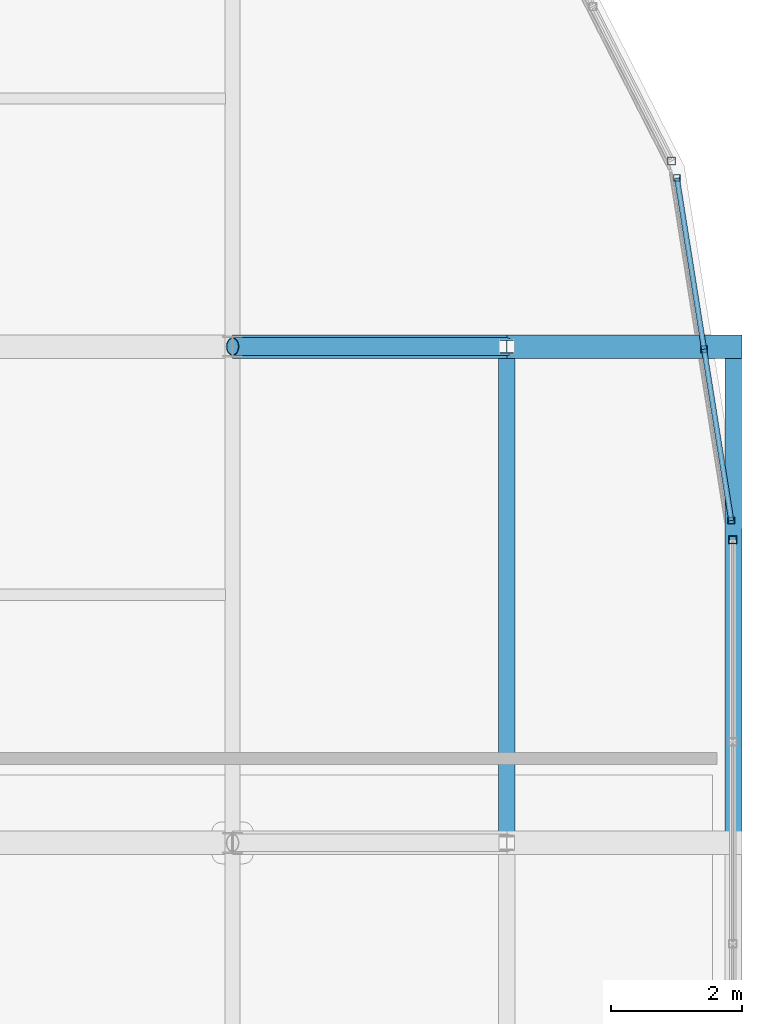
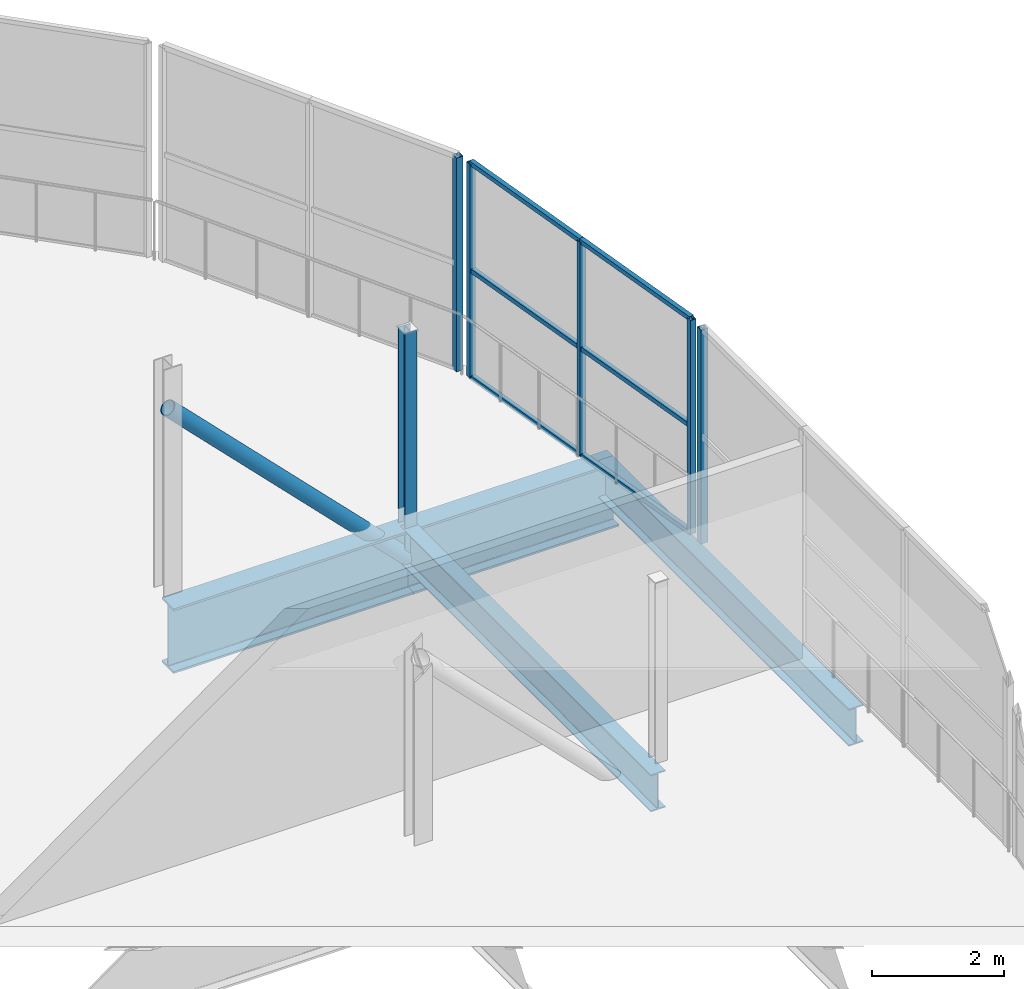
# One storey, part 110 of 151: 13 members, 4 beams, 3 elements without a shape of their own.
"""IFC4 building model written with IfcOpenShell, lengths in metres."""

import ifcopenshell
import ifcopenshell.guid

model = None  # the IFC model being written
_history = None  # IfcOwnerHistory: only IFC2X3 demands one
_inside = {}  # id of a spatial element -> (the spatial element, [elements in it])
_under = {}  # id of a project, library or spatial element -> (it, [spatial elements below it])
_declared = {}  # id of a project -> (the project, [libraries it declares])
_typed = {}  # id of a type object -> (the type object, [elements of that type])
_made_of = {}  # id of a material, layer set ... -> (it, [elements and type objects made of it])


def new_model(schema):
    """Start an empty IFC model of exactly this schema.

    Asked for "IFC4X3", IfcOpenShell would pick the latest addendum, in which some entities
    have other attributes; the version numbers below select the first issue.
    IFC2X3 requires an IfcOwnerHistory on every rooted entity: one is made here for all.
    """
    global model, _history
    if schema == "IFC4X3":
        model = ifcopenshell.file(schema_version=(4, 3, 0, 0))
    else:
        model = ifcopenshell.file(schema=schema)
    _inside.clear()
    _under.clear()
    _declared.clear()
    _typed.clear()
    _made_of.clear()
    _history = None
    if model.schema == "IFC2X3":
        org = make("IfcOrganization", Name="unknown")
        user = make(
            "IfcPersonAndOrganization",
            ThePerson=make("IfcPerson", FamilyName="unknown"),
            TheOrganization=org,
        )
        app = make(
            "IfcApplication",
            ApplicationDeveloper=org,
            Version="unknown",
            ApplicationFullName="unknown",
            ApplicationIdentifier="unknown",
        )
        _history = make(
            "IfcOwnerHistory",
            OwningUser=user,
            OwningApplication=app,
            ChangeAction="ADDED",
            CreationDate=0,
        )
    return model


def make(cls, **values):
    """One entity of the class cls with the attributes given. An attribute that is None is left unset."""
    return model.create_entity(
        cls, **{name: value for name, value in values.items() if value is not None}
    )


def rooted(cls, **values):
    """An entity with a GlobalId (a new one), such as an element, a storey or a relation."""
    return make(cls, GlobalId=ifcopenshell.guid.new(), OwnerHistory=_history, **values)


def si_unit(unit_type, name, prefix=None):
    """IfcSIUnit, for example si_unit("LENGTHUNIT", "METRE", prefix="MILLI")."""
    return make("IfcSIUnit", UnitType=unit_type, Prefix=prefix, Name=name)


def assignment(units):
    """IfcUnitAssignment: the units of a project."""
    return None if units is None else make("IfcUnitAssignment", Units=units)


def point(xyz):
    """IfcCartesianPoint."""
    return None if xyz is None else make("IfcCartesianPoint", Coordinates=xyz)


def direction(xyz):
    """IfcDirection."""
    return None if xyz is None else make("IfcDirection", DirectionRatios=xyz)


def frame(location, z_axis=None, x_axis=None):
    """IfcAxis2Placement3D, a coordinate frame: its origin and axes. An axis left out is left unset."""
    return make(
        "IfcAxis2Placement3D",
        Location=point(location),
        Axis=direction(z_axis),
        RefDirection=direction(x_axis),
    )


def frame_2d(location, x_axis=None):
    """IfcAxis2Placement2D, a coordinate frame in the plane: its origin and x axis."""
    return make(
        "IfcAxis2Placement2D", Location=point(location), RefDirection=direction(x_axis)
    )


def origin():
    """The frame at (0, 0, 0) with its axes left unset."""
    return frame((0.0, 0.0, 0.0))


def origin_2d():
    """The frame at (0, 0) in the plane with its x axis left unset."""
    return frame_2d((0.0, 0.0))


def place(relative_to, where):
    """IfcLocalPlacement: puts the frame where relative to a parent placement (None: the world)."""
    return make(
        "IfcLocalPlacement", PlacementRelTo=relative_to, RelativePlacement=where
    )


def context(
    kind, dimensions, precision=None, world=None, true_north=None, identifier=None
):
    """IfcGeometricRepresentationContext, for example the 3D "Model" context."""
    return make(
        "IfcGeometricRepresentationContext",
        ContextIdentifier=identifier,
        ContextType=kind,
        CoordinateSpaceDimension=dimensions,
        Precision=precision,
        WorldCoordinateSystem=world,
        TrueNorth=true_north,
    )


def subcontext(parent, identifier, kind, view, scale=None):
    """IfcGeometricRepresentationSubContext, for example "Body" below "Model"."""
    return make(
        "IfcGeometricRepresentationSubContext",
        ContextIdentifier=identifier,
        ContextType=kind,
        ParentContext=parent,
        TargetScale=scale,
        TargetView=view,
    )


def project(units=None, contexts=None):
    """IfcProject with its units and contexts."""
    return rooted(
        "IfcProject",
        Name="project",
        RepresentationContexts=contexts,
        UnitsInContext=assignment(units),
    )


def spatial(cls, under=None, at=None, **own):
    """A site, building, storey or space (cls), placed at a placement, below another one or the project."""
    s = rooted(cls, ObjectPlacement=at, **own)
    if under is not None:
        _under.setdefault(under.id(), (under, []))[1].append(s)
    return s


def profile(cls, at=None, kind="AREA", **sizes):
    """A parametric profile (cls). Its sizes go by their IFC names, for example OverallWidth=200.0."""
    return make(cls, ProfileType=kind, Position=at, **sizes)


def hollow_rectangle(**sizes):
    """IfcRectangleHollowProfileDef."""
    return profile("IfcRectangleHollowProfileDef", **sizes)


def hollow_circle(**sizes):
    """IfcCircleHollowProfileDef."""
    return profile("IfcCircleHollowProfileDef", **sizes)


def i_section(**sizes):
    """IfcIShapeProfileDef."""
    return profile("IfcIShapeProfileDef", **sizes)


def extrude(swept, where, along, depth):
    """IfcExtrudedAreaSolid: the profile swept, set in the frame where, extruded along a direction by depth."""
    return make(
        "IfcExtrudedAreaSolid",
        SweptArea=swept,
        Position=where,
        ExtrudedDirection=direction(along),
        Depth=depth,
    )


def shape(context_of_items, identifier, shape_type, items):
    """IfcShapeRepresentation: the items that make up one representation, for example the "Body"."""
    return make(
        "IfcShapeRepresentation",
        ContextOfItems=context_of_items,
        RepresentationIdentifier=identifier,
        RepresentationType=shape_type,
        Items=items,
    )


def material(Name=None, Category=None):
    """IfcMaterial."""
    return make("IfcMaterial", Name=Name, Category=Category)


def material_profile(
    of_material, cross_section, Name=None, Category=None, Priority=None
):
    """IfcMaterialProfile: a cross section and its material."""
    return make(
        "IfcMaterialProfile",
        Name=Name,
        Material=of_material,
        Profile=cross_section,
        Priority=Priority,
        Category=Category,
    )


def profile_set(profiles, Name=None, composite=None):
    """IfcMaterialProfileSet."""
    return make(
        "IfcMaterialProfileSet",
        Name=Name,
        MaterialProfiles=profiles,
        CompositeProfile=composite,
    )


def made_of(thing, what):
    """Note that an element or type object is made of a material, layer set ...; save() writes the relation."""
    if what is not None:
        _made_of.setdefault(what.id(), (what, []))[1].append(thing)
    return thing


def type_object(cls, material=None, **own):
    """A type object (cls), such as IfcWallType, which elements share."""
    return made_of(rooted(cls, **own), material)


def element(
    cls,
    number,
    at=None,
    inside=None,
    cuts=None,
    type_object=None,
    material=None,
    context=None,
    identifier="Body",
    shape_type=None,
    held_by="IfcProductDefinitionShape",
    body=None,
    shapes=None,
    **own,
):
    """One element of the class cls, such as IfcWall. Its Tag is "e" and its number.

    at: its placement. inside: the storey or other place that contains it. cuts: it is an
    opening in that element (IfcRelVoidsElement). A single representation is given by context,
    identifier, shape_type and body (its items); several are given by shapes. held_by: the class
    of the entity that holds the representations. save() writes the other relations.
    """
    e = rooted(cls, Tag="e%d" % number, ObjectPlacement=at, **own)
    if body is not None:
        shapes = [shape(context, identifier, shape_type, body)]
    if shapes is not None:
        e.Representation = make(held_by, Representations=shapes)
    if inside is not None:
        _inside.setdefault(inside.id(), (inside, []))[1].append(e)
    if cuts is not None:
        rooted(
            "IfcRelVoidsElement", RelatingBuildingElement=cuts, RelatedOpeningElement=e
        )
    if type_object is not None:
        _typed.setdefault(type_object.id(), (type_object, []))[1].append(e)
    return made_of(e, material)


def aggregate(whole, parts):
    """IfcRelAggregates: a whole, such as a stair, and the parts it consists of."""
    return rooted("IfcRelAggregates", RelatingObject=whole, RelatedObjects=parts)


def save(model, path):
    """Write the relations noted so far, then the file.

    IfcRelAggregates (storeys below a building ...), IfcRelContainedInSpatialStructure (elements
    in a storey), IfcRelDefinesByType, IfcRelAssociatesMaterial and IfcRelDeclares: one each for
    every whole, place, type object, material and project.
    """
    for whole, parts in _under.values():
        aggregate(whole, parts)
    for where, things in _inside.values():
        rooted(
            "IfcRelContainedInSpatialStructure",
            RelatedElements=things,
            RelatingStructure=where,
        )
    for kind, things in _typed.values():
        rooted("IfcRelDefinesByType", RelatedObjects=things, RelatingType=kind)
    for what, things in _made_of.values():
        rooted("IfcRelAssociatesMaterial", RelatedObjects=things, RelatingMaterial=what)
    for by, libraries in _declared.values():
        rooted("IfcRelDeclares", RelatingContext=by, RelatedDefinitions=libraries)
    model.write(path)


model = new_model("IFC4")

# Units and contexts
model_context = context("Model", 3, precision=1e-05, world=origin(), true_north=direction((0.0, 1.0)))
body_context = subcontext(model_context, "Body", "Model", "MODEL_VIEW")
ifc_project = project(units=[si_unit("LENGTHUNIT", "METRE"), si_unit("AREAUNIT", "SQUARE_METRE"), si_unit("VOLUMEUNIT", "CUBIC_METRE"), si_unit("PLANEANGLEUNIT", "RADIAN"), si_unit("MASSUNIT", "GRAM", prefix="KILO")], contexts=[model_context])

# Site, building, storey
site_placement = place(None, origin())
site = spatial("IfcSite", under=ifc_project, at=site_placement, CompositionType="ELEMENT")
building_placement = place(site_placement, origin())
building = spatial("IfcBuilding", under=site, at=building_placement, Name="Zuvorla Pavilion Media Centre", CompositionType="ELEMENT")
storey_placement = place(building_placement, frame((0.0, 0.0, 13.800048828125)))
storey = spatial("IfcBuildingStorey", under=building, at=storey_placement, Name="L03", CompositionType="ELEMENT", Elevation=13.800048828125)

# Beams
ifc_material_1 = material(Name="Steel S355", Category="steel")
ifc_material_profile_1 = material_profile(ifc_material_1, i_section(OverallWidth=0.360107421875, OverallDepth=1.199951171875, WebThickness=0.02001953125, FlangeThickness=0.0380859375, FilletRadius=0.02392578125, at=origin_2d()), Name="PG 1200x360x38")
ifc_profile_set_1 = profile_set([ifc_material_profile_1], Name="Steel S355")
beam_type_1 = type_object("IfcBeamType", Name="BM-PG1200", PredefinedType="BEAM", material=ifc_profile_set_1)
beam_1_placement = place(storey_placement, frame((167.60009765625, 74.39990234375, -0.858154296875), z_axis=(1.0, 0.0, 0.0), x_axis=(0.0, 1.0, 0.0)))
element("IfcBeam", 1, at=beam_1_placement, inside=storey, type_object=beam_type_1, Name="L03 beam B01 1711", PredefinedType="BEAM", context=body_context, shape_type="SweptSolid", body=[
    extrude(i_section(OverallWidth=0.360107421875, OverallDepth=1.199951171875, WebThickness=0.02001953125, FlangeThickness=0.0380859375, FilletRadius=0.02392578125, at=origin_2d()), origin(), (0.0, 0.0, 1.0), 4.199951171875),
])
beam_2_placement = place(storey_placement, frame((171.800048828125, 74.39990234375, -0.858154296875), z_axis=(1.0, 0.0, 0.0), x_axis=(0.0, 1.0, 0.0)))
element("IfcBeam", 2, at=beam_2_placement, inside=storey, type_object=beam_type_1, Name="L03 beam B01 1712", PredefinedType="BEAM", context=body_context, shape_type="SweptSolid", body=[
    extrude(i_section(OverallWidth=0.360107421875, OverallDepth=1.199951171875, WebThickness=0.02001953125, FlangeThickness=0.0380859375, FilletRadius=0.02392578125, at=origin_2d()), origin(), (0.0, 0.0, 1.0), 3.599853515625),
])
ifc_material_profile_2 = material_profile(ifc_material_1, i_section(OverallWidth=0.25439453125, OverallDepth=0.6875, WebThickness=0.01318359375, FlangeThickness=0.02099609375, FilletRadius=0.01513671875, at=origin_2d()), Name="UB 686x254x152")
ifc_profile_set_2 = profile_set([ifc_material_profile_2], Name="Steel S355")
beam_type_2 = type_object("IfcBeamType", Name="BM-UB686", PredefinedType="BEAM", material=ifc_profile_set_2)
for number, where, z_axis, x_axis, name in (
    (3, (171.800048828125, 66.800048828125, -0.601806640625), (0.0, 1.0, 0.0), (-1.0, 0.0, 0.0), "L03 beam B06 1718"),
    (4, (175.27001953125, 66.800048828125, -0.601806640625), (0.0, 1.0, 0.0), (-1.0, 0.0, 0.0), "L03 beam B06 1720"),
):
    element("IfcBeam", number, at=place(storey_placement, frame(where, z_axis=z_axis, x_axis=x_axis)), inside=storey, type_object=beam_type_2, Name=name, PredefinedType="BEAM", context=body_context, shape_type="SweptSolid", body=[
        extrude(i_section(OverallWidth=0.25439453125, OverallDepth=0.6875, WebThickness=0.01318359375, FlangeThickness=0.02099609375, FilletRadius=0.01513671875, at=origin_2d()), origin(), (0.0, 0.0, 1.0), 7.599853515625),
    ])

# Curtain wall, members
ifc_material_2 = material(Name="Unitised anodised aluminium and solar glass curtain wall", Category="aluminium")
curtain_wall_type_1 = type_object("IfcCurtainWallType", Name="CW-SYS-02", PredefinedType="USERDEFINED", material=ifc_material_2)
curtain_wall_1_placement = place(storey_placement, origin())
curtain_wall_1 = element("IfcCurtainWall", 5, at=curtain_wall_1_placement, inside=storey, type_object=curtain_wall_type_1, Name="L03 curtain wall CW02 101", ObjectType="CURTAIN WALL", PredefinedType="USERDEFINED")
ifc_material_3 = material(Name="Anodised aluminium 6063-T6", Category="aluminium")
ifc_material_profile_3 = material_profile(ifc_material_3, hollow_rectangle(XDim=0.10009765625, YDim=0.10009765625, WallThickness=0.00439453125, at=origin_2d()), Name="ALU MULL 100x100")
ifc_profile_set_3 = profile_set([ifc_material_profile_3], Name="Anodised aluminium 6063-T6")
member_type_1 = type_object("IfcMemberType", Name="CW-MULL-100", PredefinedType="MULLION", material=ifc_profile_set_3)
member_1_placement = place(storey_placement, frame((175.23681640625, 71.736083984375, 0.0), z_axis=(0.0, 0.0, 1.0), x_axis=(1.0, 0.0, 0.0)))
member_1 = element("IfcMember", 6, at=member_1_placement, type_object=member_type_1, Name="CW02 mullion 1", PredefinedType="MULLION", context=body_context, shape_type="SweptSolid", body=[
    extrude(hollow_rectangle(XDim=0.10009765625, YDim=0.10009765625, WallThickness=0.00439453125, at=origin_2d()), origin(), (0.0, 0.0, 1.0), 3.9599609375),
])
member_2_placement = place(storey_placement, frame((174.8212890625, 74.359130859375, 0.0), z_axis=(0.0, 0.0, 1.0), x_axis=(1.0, 0.0, 0.0)))
member_2 = element("IfcMember", 7, at=member_2_placement, type_object=member_type_1, Name="CW02 mullion 2", PredefinedType="MULLION", context=body_context, shape_type="SweptSolid", body=[
    extrude(hollow_rectangle(XDim=0.10009765625, YDim=0.10009765625, WallThickness=0.00439453125, at=origin_2d()), origin(), (0.0, 0.0, 1.0), 3.9599609375),
])
member_3_placement = place(storey_placement, frame((174.40576171875, 76.982421875, 0.0), z_axis=(0.0, 0.0, 1.0), x_axis=(1.0, 0.0, 0.0)))
member_3 = element("IfcMember", 8, at=member_3_placement, type_object=member_type_1, Name="CW02 mullion 3", PredefinedType="MULLION", context=body_context, shape_type="SweptSolid", body=[
    extrude(hollow_rectangle(XDim=0.10009765625, YDim=0.10009765625, WallThickness=0.00439453125, at=origin_2d()), origin(), (0.0, 0.0, 1.0), 3.9599609375),
])

# Curtain wall, member
curtain_wall_type_2 = type_object("IfcCurtainWallType", Name="CW-SYS-59", PredefinedType="USERDEFINED", material=ifc_material_2)
curtain_wall_2_placement = place(storey_placement, origin())
curtain_wall_2 = element("IfcCurtainWall", 9, at=curtain_wall_2_placement, inside=storey, type_object=curtain_wall_type_2, Name="L03 curtain wall CW59 100", ObjectType="CURTAIN WALL", PredefinedType="USERDEFINED")
ifc_material_profile_4 = material_profile(ifc_material_3, hollow_rectangle(XDim=0.1201171875, YDim=0.1201171875, WallThickness=0.0048828125, at=origin_2d()), Name="ALU MULL 120x120")
ifc_profile_set_4 = profile_set([ifc_material_profile_4], Name="Anodised aluminium 6063-T6")
member_type_2 = type_object("IfcMemberType", Name="CW-MULL-120", PredefinedType="MULLION", material=ifc_profile_set_4)
member_4_placement = place(storey_placement, frame((175.260009765625, 71.43994140625, 0.0), z_axis=(0.0, 0.0, 1.0), x_axis=(1.0, 0.0, 0.0)))
member_4 = element("IfcMember", 10, at=member_4_placement, type_object=member_type_2, Name="CW59 mullion 4", PredefinedType="MULLION", context=body_context, shape_type="SweptSolid", body=[
    extrude(hollow_rectangle(XDim=0.1201171875, YDim=0.1201171875, WallThickness=0.0048828125, at=origin_2d()), origin(), (0.0, 0.0, 1.0), 3.9599609375),
])
aggregate(curtain_wall_2, [member_4])

curtain_wall_type_3 = type_object("IfcCurtainWallType", Name="CW-SYS-03", PredefinedType="USERDEFINED", material=ifc_material_2)
curtain_wall_3_placement = place(storey_placement, origin())
curtain_wall_3 = element("IfcCurtainWall", 11, at=curtain_wall_3_placement, inside=storey, type_object=curtain_wall_type_3, Name="L03 curtain wall CW03 102", ObjectType="CURTAIN WALL", PredefinedType="USERDEFINED")
member_5_placement = place(storey_placement, frame((174.321533203125, 77.2412109375, 0.0), z_axis=(0.0, 0.0, 1.0), x_axis=(1.0, 0.0, 0.0)))
member_5 = element("IfcMember", 12, at=member_5_placement, type_object=member_type_2, Name="CW03 mullion 1", PredefinedType="MULLION", context=body_context, shape_type="SweptSolid", body=[
    extrude(hollow_rectangle(XDim=0.1201171875, YDim=0.1201171875, WallThickness=0.0048828125, at=origin_2d()), origin(), (0.0, 0.0, 1.0), 3.9599609375),
])
aggregate(curtain_wall_3, [member_5])

# Member
ifc_material_profile_5 = material_profile(ifc_material_3, hollow_rectangle(XDim=0.080078125, YDim=0.080078125, WallThickness=0.00390625, at=origin_2d()), Name="ALU TRAN 80x80")
ifc_profile_set_5 = profile_set([ifc_material_profile_5], Name="Anodised aluminium 6063-T6")
member_type_3 = type_object("IfcMemberType", Name="CW-TRAN-80", PredefinedType="USERDEFINED", material=ifc_profile_set_5)
member_6_placement = place(storey_placement, frame((175.23681640625, 71.736083984375, 0.0), z_axis=(-0.156462944686, 0.987683829441, 0.0), x_axis=(-0.987683829441, -0.156462944686, 0.0)))
member_6 = element("IfcMember", 13, at=member_6_placement, type_object=member_type_3, Name="CW02 transom 1.1", ObjectType="TRANSOM", PredefinedType="USERDEFINED", context=body_context, shape_type="SweptSolid", body=[
    extrude(hollow_rectangle(XDim=0.080078125, YDim=0.080078125, WallThickness=0.00390625, at=origin_2d()), origin(), (0.0, 0.0, 1.0), 2.65576171875),
])

member_7_placement = place(storey_placement, frame((175.23681640625, 71.736083984375, 1.97998046875), z_axis=(-0.156462944686, 0.987683829441, 0.0), x_axis=(-0.987683829441, -0.156462944686, 0.0)))
member_7 = element("IfcMember", 14, at=member_7_placement, type_object=member_type_3, Name="CW02 transom 1.2", ObjectType="TRANSOM", PredefinedType="USERDEFINED", context=body_context, shape_type="SweptSolid", body=[
    extrude(hollow_rectangle(XDim=0.080078125, YDim=0.080078125, WallThickness=0.00390625, at=origin_2d()), origin(), (0.0, 0.0, 1.0), 2.65576171875),
])

member_8_placement = place(storey_placement, frame((175.23681640625, 71.736083984375, 3.9599609375), z_axis=(-0.156462944686, 0.987683829441, 0.0), x_axis=(-0.987683829441, -0.156462944686, 0.0)))
member_8 = element("IfcMember", 15, at=member_8_placement, type_object=member_type_3, Name="CW02 transom 1.3", ObjectType="TRANSOM", PredefinedType="USERDEFINED", context=body_context, shape_type="SweptSolid", body=[
    extrude(hollow_rectangle(XDim=0.080078125, YDim=0.080078125, WallThickness=0.00390625, at=origin_2d()), origin(), (0.0, 0.0, 1.0), 2.65576171875),
])

member_9_placement = place(storey_placement, frame((174.8212890625, 74.359130859375, 0.0), z_axis=(-0.156448739647, 0.987686079614, 0.0), x_axis=(-0.987686079614, -0.156448739647, 0.0)))
member_9 = element("IfcMember", 16, at=member_9_placement, type_object=member_type_3, Name="CW02 transom 2.1", ObjectType="TRANSOM", PredefinedType="USERDEFINED", context=body_context, shape_type="SweptSolid", body=[
    extrude(hollow_rectangle(XDim=0.080078125, YDim=0.080078125, WallThickness=0.00390625, at=origin_2d()), origin(), (0.0, 0.0, 1.0), 2.656005859375),
])

member_10_placement = place(storey_placement, frame((174.8212890625, 74.359130859375, 1.97998046875), z_axis=(-0.156448739647, 0.987686079614, 0.0), x_axis=(-0.987686079614, -0.156448739647, 0.0)))
member_10 = element("IfcMember", 17, at=member_10_placement, type_object=member_type_3, Name="CW02 transom 2.2", ObjectType="TRANSOM", PredefinedType="USERDEFINED", context=body_context, shape_type="SweptSolid", body=[
    extrude(hollow_rectangle(XDim=0.080078125, YDim=0.080078125, WallThickness=0.00390625, at=origin_2d()), origin(), (0.0, 0.0, 1.0), 2.656005859375),
])

member_11_placement = place(storey_placement, frame((174.8212890625, 74.359130859375, 3.9599609375), z_axis=(-0.156448739647, 0.987686079614, 0.0), x_axis=(-0.987686079614, -0.156448739647, 0.0)))
member_11 = element("IfcMember", 18, at=member_11_placement, type_object=member_type_3, Name="CW02 transom 2.3", ObjectType="TRANSOM", PredefinedType="USERDEFINED", context=body_context, shape_type="SweptSolid", body=[
    extrude(hollow_rectangle(XDim=0.080078125, YDim=0.080078125, WallThickness=0.00390625, at=origin_2d()), origin(), (0.0, 0.0, 1.0), 2.656005859375),
])

aggregate(curtain_wall_1, [member_1, member_2, member_3, member_6, member_7, member_8, member_9, member_10, member_11])

# Members
ifc_material_profile_6 = material_profile(ifc_material_1, hollow_circle(Radius=0.136474609375, WallThickness=0.012451171875, at=origin_2d()), Name="CHS 273x12.5")
ifc_profile_set_6 = profile_set([ifc_material_profile_6], Name="Steel S355")
member_type_4 = type_object("IfcMemberType", Name="MEM-BRC-CHS273", PredefinedType="BRACE", material=ifc_profile_set_6)
member_12_placement = place(storey_placement, frame((167.60009765625, 74.39990234375, 3.35986328125), z_axis=(0.704583438737, 0.0, -0.709621150937), x_axis=(0.0, 1.0, 0.0)))
element("IfcMember", 19, at=member_12_placement, inside=storey, type_object=member_type_4, Name="L03 diagonal brace TB01 23", PredefinedType="BRACE", context=body_context, shape_type="SweptSolid", body=[
    extrude(hollow_circle(Radius=0.136474609375, WallThickness=0.012451171875, at=origin_2d()), origin(), (0.0, 0.0, 1.0), 5.9609375),
])
ifc_material_profile_7 = material_profile(ifc_material_1, i_section(OverallWidth=0.205810546875, OverallDepth=0.209716796875, WebThickness=0.009521484375, FlangeThickness=0.01416015625, FilletRadius=0.01025390625, at=origin_2d()), Name="UC 203x203x60")
ifc_profile_set_7 = profile_set([ifc_material_profile_7], Name="Steel S355")
member_type_5 = type_object("IfcMemberType", Name="MEM-STR-UC203", PredefinedType="STRUT", material=ifc_profile_set_7)
member_13_placement = place(storey_placement, frame((171.800048828125, 74.39990234375, -0.8701171875), z_axis=(0.0, 0.0, 1.0), x_axis=(1.0, 0.0, 0.0)))
element("IfcMember", 20, at=member_13_placement, inside=storey, type_object=member_type_5, Name="L03 vertical strut TS02 24", PredefinedType="STRUT", context=body_context, shape_type="SweptSolid", body=[
    extrude(i_section(OverallWidth=0.205810546875, OverallDepth=0.209716796875, WebThickness=0.009521484375, FlangeThickness=0.01416015625, FilletRadius=0.01025390625, at=origin_2d()), origin(), (0.0, 0.0, 1.0), 4.22998046875),
])

save(model, "model.ifc")
